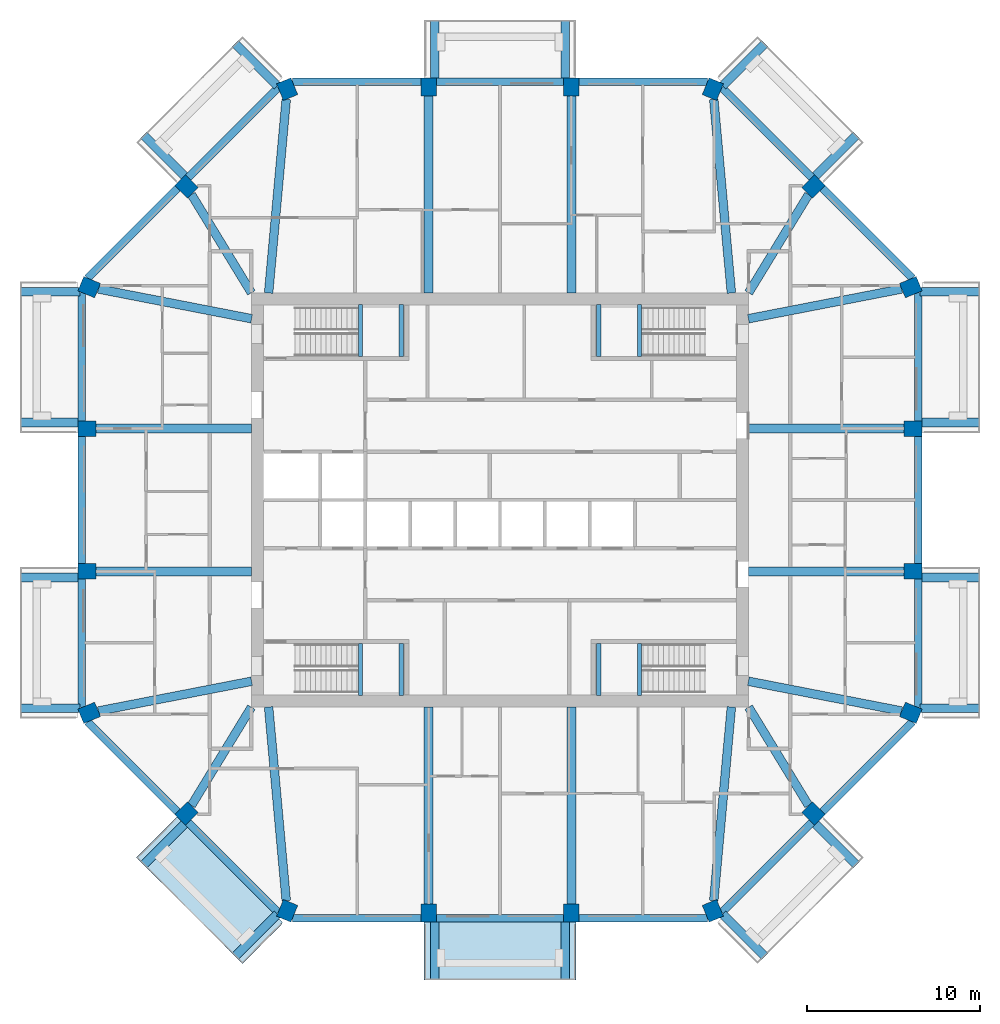
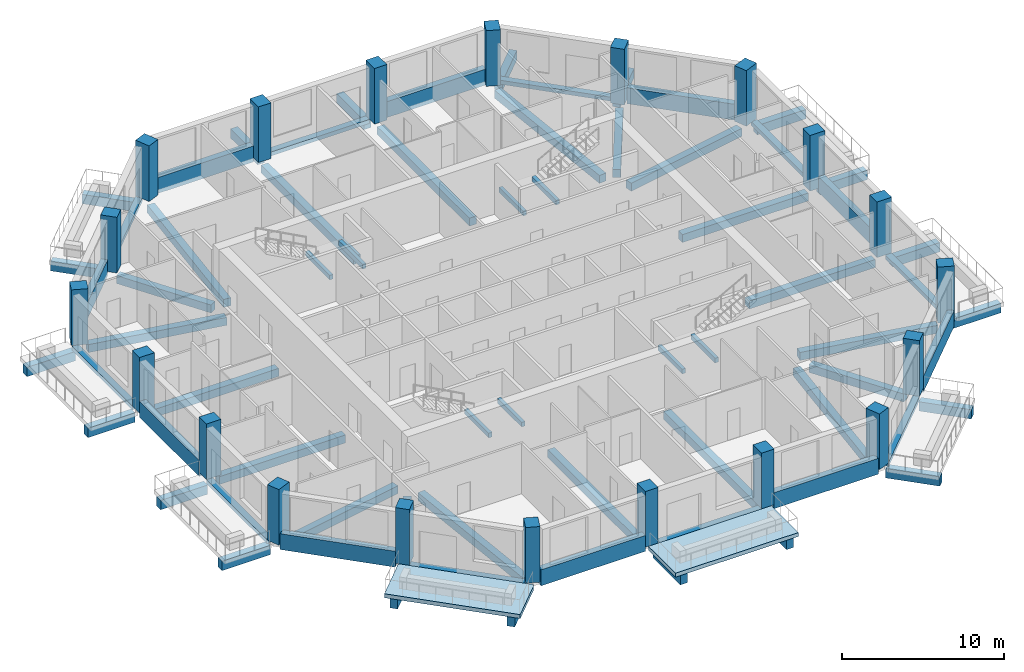
# One storey, part 1 of 12: 68 beams, 20 columns, 2 slabs.
"""IFC4 building model written with IfcOpenShell, lengths in metres."""

from ifc_helpers import new_model, si_unit, direction, frame, origin, origin_2d, place, context, subcontext, project, spatial, polyline, rectangle, outline, extrude, material, layer, layer_set, material_profile, profile_set, type_object, element, save


model = new_model("IFC4")

# Units and contexts
model_context = context("Model", 3, precision=1e-05, world=origin(), true_north=direction((0.0, 1.0)))
body_context = subcontext(model_context, "Body", "Model", "MODEL_VIEW")
ifc_project = project(units=[si_unit("LENGTHUNIT", "METRE"), si_unit("AREAUNIT", "SQUARE_METRE"), si_unit("VOLUMEUNIT", "CUBIC_METRE"), si_unit("PLANEANGLEUNIT", "RADIAN"), si_unit("MASSUNIT", "GRAM", prefix="KILO")], contexts=[model_context])

# Site, building, storey
site_placement = place(None, origin())
site = spatial("IfcSite", under=ifc_project, at=site_placement, CompositionType="ELEMENT")
building_placement = place(site_placement, origin())
building = spatial("IfcBuilding", under=site, at=building_placement, Name="Msitu Wima Residences", CompositionType="ELEMENT")
storey_placement = place(building_placement, frame((0.0, 0.0, 200.10009765625)))
storey = spatial("IfcBuildingStorey", under=building, at=storey_placement, Name="L46", CompositionType="ELEMENT", Elevation=200.10009765625)

# Columns
ifc_material_1 = material(Name="Concrete C60/75", Category="concrete")
ifc_material_profile_1 = material_profile(ifc_material_1, rectangle(XDim=0.89990234375, YDim=1.050048828125, at=origin_2d()), Name="RC 900x1050")
ifc_profile_set_1 = profile_set([ifc_material_profile_1], Name="Concrete C60/75")
column_type = type_object("IfcColumnType", Name="Column RC 900x1050 Concrete C60/75", PredefinedType="COLUMN", material=ifc_profile_set_1)
for number, where, z_axis, x_axis, name in (
    (1, (23.792724609375, -12.325927734375, 0.0), (0.0, 0.0, 1.0), (0.382683496864, 0.923879505795, 0.0), "Column L46 C-E0"),
    (2, (23.925048828125, -4.13720703125, 0.0), (0.0, 0.0, 1.0), (0.0, 1.0, 0.0), "Column L46 C-E1"),
    (3, (23.925048828125, 4.13720703125, 0.0), (0.0, 0.0, 1.0), (0.0, 1.0, 0.0), "Column L46 C-E2"),
    (4, (23.792724609375, 12.325927734375, 0.0), (0.0, 0.0, 1.0), (-0.382683496864, 0.923879505795, 0.0), "Column L46 C-NE0"),
    (5, (18.15283203125, 18.15283203125, 0.0), (0.0, 0.0, 1.0), (-0.707106781187, 0.707106781187, 0.0), "Column L46 C-NE1"),
    (6, (12.325927734375, 23.792724609375, 0.0), (0.0, 0.0, 1.0), (-0.923879505795, 0.382683496864, 0.0), "Column L46 C-N0"),
    (7, (4.13720703125, 23.925048828125, 0.0), (0.0, 0.0, 1.0), (-1.0, 0.0, 0.0), "Column L46 C-N1"),
    (8, (-4.13720703125, 23.925048828125, 0.0), (0.0, 0.0, 1.0), (-1.0, 0.0, 0.0), "Column L46 C-N2"),
    (9, (-12.325927734375, 23.792724609375, 0.0), (0.0, 0.0, 1.0), (-0.923879505795, -0.382683496864, 0.0), "Column L46 C-NW0"),
    (10, (-18.15283203125, 18.15283203125, 0.0), (0.0, 0.0, 1.0), (-0.707106781187, -0.707106781187, 0.0), "Column L46 C-NW1"),
    (11, (-23.792724609375, 12.325927734375, 0.0), (0.0, 0.0, 1.0), (-0.382683496864, -0.923879505795, 0.0), "Column L46 C-W0"),
    (12, (-23.925048828125, 4.13720703125, 0.0), (0.0, 0.0, 1.0), (0.0, -1.0, 0.0), "Column L46 C-W1"),
    (13, (-23.925048828125, -4.13720703125, 0.0), (0.0, 0.0, 1.0), (0.0, -1.0, 0.0), "Column L46 C-W2"),
    (14, (-23.792724609375, -12.325927734375, 0.0), (0.0, 0.0, 1.0), (0.382683496864, -0.923879505795, 0.0), "Column L46 C-SW0"),
    (15, (-18.15283203125, -18.15283203125, 0.0), (0.0, 0.0, 1.0), (0.707106781187, -0.707106781187, 0.0), "Column L46 C-SW1"),
    (16, (-12.325927734375, -23.792724609375, 0.0), (0.0, 0.0, 1.0), (0.923879505795, -0.382683496864, 0.0), "Column L46 C-S0"),
    (17, (-4.13720703125, -23.925048828125, 0.0), (0.0, 0.0, 1.0), (1.0, 0.0, 0.0), "Column L46 C-S1"),
    (18, (4.13720703125, -23.925048828125, 0.0), (0.0, 0.0, 1.0), (1.0, 0.0, 0.0), "Column L46 C-S2"),
    (19, (12.325927734375, -23.792724609375, 0.0), (0.0, 0.0, 1.0), (0.923879505795, 0.382683496864, 0.0), "Column L46 C-SE0"),
    (20, (18.15283203125, -18.15283203125, 0.0), (0.0, 0.0, 1.0), (0.707106781187, 0.707106781187, 0.0), "Column L46 C-SE1"),
):
    element("IfcColumn", number, at=place(storey_placement, frame(where, z_axis=z_axis, x_axis=x_axis)), inside=storey, type_object=column_type, Name=name, PredefinedType="COLUMN", context=body_context, shape_type="SweptSolid", body=[
        extrude(rectangle(XDim=0.89990234375, YDim=1.050048828125, at=origin_2d()), origin(), (0.0, 0.0, 1.0), 4.199951171875),
    ])

# Beams
ifc_material_2 = material(Name="Concrete C50/60", Category="concrete")
ifc_material_profile_2 = material_profile(ifc_material_2, rectangle(XDim=0.5, YDim=0.60009765625, at=origin_2d()), Name="RC 500x600")
ifc_profile_set_2 = profile_set([ifc_material_profile_2], Name="Concrete C50/60")
beam_type_1 = type_object("IfcBeamType", Name="Beam RC 500x600 Concrete C50/60", PredefinedType="BEAM", material=ifc_profile_set_2)
beam_1_placement = place(storey_placement, frame((23.266845703125, -12.2236328125, -0.550048828125), z_axis=(-0.981627328559, 0.190808248841, 0.0), x_axis=(-0.190808248841, -0.981627328559, 0.0)))
element("IfcBeam", 21, at=beam_1_placement, inside=storey, type_object=beam_type_1, Name="Beam L46 C-E0", PredefinedType="BEAM", context=body_context, shape_type="SweptSolid", body=[
    extrude(rectangle(XDim=0.5, YDim=0.60009765625, at=origin_2d()), origin(), (0.0, 0.0, 1.0), 9.044921875),
])
for number, where, z_axis, x_axis, name in (
    (22, (23.39990234375, -4.13720703125, -0.550048828125), (-1.0, 0.0, 0.0), (0.0, -1.0, 0.0), "Beam L46 C-E1"),
    (23, (23.39990234375, 4.13720703125, -0.550048828125), (-1.0, 0.0, 0.0), (0.0, -1.0, 0.0), "Beam L46 C-E2"),
):
    element("IfcBeam", number, at=place(storey_placement, frame(where, z_axis=z_axis, x_axis=x_axis)), inside=storey, type_object=beam_type_1, Name=name, PredefinedType="BEAM", context=body_context, shape_type="SweptSolid", body=[
        extrude(rectangle(XDim=0.5, YDim=0.60009765625, at=origin_2d()), origin(), (0.0, 0.0, 1.0), 9.0),
    ])
beam_2_placement = place(storey_placement, frame((23.266845703125, 12.2236328125, -0.550048828125), z_axis=(-0.981627328559, -0.190808248841, 0.0), x_axis=(0.190808248841, -0.981627328559, 0.0)))
element("IfcBeam", 24, at=beam_2_placement, inside=storey, type_object=beam_type_1, Name="Beam L46 C-NE0", PredefinedType="BEAM", context=body_context, shape_type="SweptSolid", body=[
    extrude(rectangle(XDim=0.5, YDim=0.60009765625, at=origin_2d()), origin(), (0.0, 0.0, 1.0), 9.044921875),
])
beam_3_placement = place(storey_placement, frame((17.87158203125, 17.691650390625, -0.550048828125), z_axis=(-0.520734381113, -0.853718750132, 0.0), x_axis=(0.853718750132, -0.520734381113, 0.0)))
element("IfcBeam", 25, at=beam_3_placement, inside=storey, type_object=beam_type_1, Name="Beam L46 C-NE1", PredefinedType="BEAM", context=body_context, shape_type="SweptSolid", body=[
    extrude(rectangle(XDim=0.5, YDim=0.60009765625, at=origin_2d()), origin(), (0.0, 0.0, 1.0), 6.6669921875),
])
beam_4_placement = place(storey_placement, frame((12.379638671875, 23.2021484375, -0.550048828125), z_axis=(0.090713636077, -0.995877018627, 0.0), x_axis=(0.995877018627, 0.090713636077, 0.0)))
element("IfcBeam", 26, at=beam_4_placement, inside=storey, type_object=beam_type_1, Name="Beam L46 C-N0", PredefinedType="BEAM", context=body_context, shape_type="SweptSolid", body=[
    extrude(rectangle(XDim=0.5, YDim=0.60009765625, at=origin_2d()), origin(), (0.0, 0.0, 1.0), 11.260498046875),
])
for number, where, z_axis, x_axis, name in (
    (27, (4.13720703125, 23.39990234375, -0.550048828125), (0.0, -1.0, 0.0), (1.0, 0.0, 0.0), "Beam L46 C-N1"),
    (28, (-4.13720703125, 23.39990234375, -0.550048828125), (0.0, -1.0, 0.0), (1.0, 0.0, 0.0), "Beam L46 C-N2"),
):
    element("IfcBeam", number, at=place(storey_placement, frame(where, z_axis=z_axis, x_axis=x_axis)), inside=storey, type_object=beam_type_1, Name=name, PredefinedType="BEAM", context=body_context, shape_type="SweptSolid", body=[
        extrude(rectangle(XDim=0.5, YDim=0.60009765625, at=origin_2d()), origin(), (0.0, 0.0, 1.0), 11.39990234375),
    ])
beam_5_placement = place(storey_placement, frame((-12.379638671875, 23.2021484375, -0.550048828125), z_axis=(-0.090713636077, -0.995877018627, 0.0), x_axis=(0.995877018627, -0.090713636077, 0.0)))
element("IfcBeam", 29, at=beam_5_placement, inside=storey, type_object=beam_type_1, Name="Beam L46 C-NW0", PredefinedType="BEAM", context=body_context, shape_type="SweptSolid", body=[
    extrude(rectangle(XDim=0.5, YDim=0.60009765625, at=origin_2d()), origin(), (0.0, 0.0, 1.0), 11.260498046875),
])
beam_6_placement = place(storey_placement, frame((-17.87158203125, 17.691650390625, -0.550048828125), z_axis=(0.520734381113, -0.853718750132, 0.0), x_axis=(0.853718750132, 0.520734381113, 0.0)))
element("IfcBeam", 30, at=beam_6_placement, inside=storey, type_object=beam_type_1, Name="Beam L46 C-NW1", PredefinedType="BEAM", context=body_context, shape_type="SweptSolid", body=[
    extrude(rectangle(XDim=0.5, YDim=0.60009765625, at=origin_2d()), origin(), (0.0, 0.0, 1.0), 6.6669921875),
])
beam_7_placement = place(storey_placement, frame((-23.266845703125, 12.2236328125, -0.550048828125), z_axis=(0.981627328559, -0.190808248841, 0.0), x_axis=(0.190808248841, 0.981627328559, 0.0)))
element("IfcBeam", 31, at=beam_7_placement, inside=storey, type_object=beam_type_1, Name="Beam L46 C-W0", PredefinedType="BEAM", context=body_context, shape_type="SweptSolid", body=[
    extrude(rectangle(XDim=0.5, YDim=0.60009765625, at=origin_2d()), origin(), (0.0, 0.0, 1.0), 9.044921875),
])
for number, where, z_axis, x_axis, name in (
    (32, (-23.39990234375, 4.13720703125, -0.550048828125), (1.0, 0.0, 0.0), (0.0, 1.0, 0.0), "Beam L46 C-W1"),
    (33, (-23.39990234375, -4.13720703125, -0.550048828125), (1.0, 0.0, 0.0), (0.0, 1.0, 0.0), "Beam L46 C-W2"),
):
    element("IfcBeam", number, at=place(storey_placement, frame(where, z_axis=z_axis, x_axis=x_axis)), inside=storey, type_object=beam_type_1, Name=name, PredefinedType="BEAM", context=body_context, shape_type="SweptSolid", body=[
        extrude(rectangle(XDim=0.5, YDim=0.60009765625, at=origin_2d()), origin(), (0.0, 0.0, 1.0), 9.0),
    ])
beam_8_placement = place(storey_placement, frame((-23.266845703125, -12.2236328125, -0.550048828125), z_axis=(0.981627328559, 0.190808248841, 0.0), x_axis=(-0.190808248841, 0.981627328559, 0.0)))
element("IfcBeam", 34, at=beam_8_placement, inside=storey, type_object=beam_type_1, Name="Beam L46 C-SW0", PredefinedType="BEAM", context=body_context, shape_type="SweptSolid", body=[
    extrude(rectangle(XDim=0.5, YDim=0.60009765625, at=origin_2d()), origin(), (0.0, 0.0, 1.0), 9.044921875),
])
beam_9_placement = place(storey_placement, frame((-17.87158203125, -17.691650390625, -0.550048828125), z_axis=(0.520734381113, 0.853718750132, 0.0), x_axis=(-0.853718750132, 0.520734381113, 0.0)))
element("IfcBeam", 35, at=beam_9_placement, inside=storey, type_object=beam_type_1, Name="Beam L46 C-SW1", PredefinedType="BEAM", context=body_context, shape_type="SweptSolid", body=[
    extrude(rectangle(XDim=0.5, YDim=0.60009765625, at=origin_2d()), origin(), (0.0, 0.0, 1.0), 6.6669921875),
])
beam_10_placement = place(storey_placement, frame((-12.379638671875, -23.2021484375, -0.550048828125), z_axis=(-0.090713636077, 0.995877018627, 0.0), x_axis=(-0.995877018627, -0.090713636077, 0.0)))
element("IfcBeam", 36, at=beam_10_placement, inside=storey, type_object=beam_type_1, Name="Beam L46 C-S0", PredefinedType="BEAM", context=body_context, shape_type="SweptSolid", body=[
    extrude(rectangle(XDim=0.5, YDim=0.60009765625, at=origin_2d()), origin(), (0.0, 0.0, 1.0), 11.260498046875),
])
for number, where, z_axis, x_axis, name in (
    (37, (-4.13720703125, -23.39990234375, -0.550048828125), (0.0, 1.0, 0.0), (-1.0, 0.0, 0.0), "Beam L46 C-S1"),
    (38, (4.13720703125, -23.39990234375, -0.550048828125), (0.0, 1.0, 0.0), (-1.0, 0.0, 0.0), "Beam L46 C-S2"),
):
    element("IfcBeam", number, at=place(storey_placement, frame(where, z_axis=z_axis, x_axis=x_axis)), inside=storey, type_object=beam_type_1, Name=name, PredefinedType="BEAM", context=body_context, shape_type="SweptSolid", body=[
        extrude(rectangle(XDim=0.5, YDim=0.60009765625, at=origin_2d()), origin(), (0.0, 0.0, 1.0), 11.39990234375),
    ])
beam_11_placement = place(storey_placement, frame((12.379638671875, -23.2021484375, -0.550048828125), z_axis=(0.090713636077, 0.995877018627, 0.0), x_axis=(-0.995877018627, 0.090713636077, 0.0)))
element("IfcBeam", 39, at=beam_11_placement, inside=storey, type_object=beam_type_1, Name="Beam L46 C-SE0", PredefinedType="BEAM", context=body_context, shape_type="SweptSolid", body=[
    extrude(rectangle(XDim=0.5, YDim=0.60009765625, at=origin_2d()), origin(), (0.0, 0.0, 1.0), 11.260498046875),
])
beam_12_placement = place(storey_placement, frame((17.87158203125, -17.691650390625, -0.550048828125), z_axis=(-0.520734381113, 0.853718750132, 0.0), x_axis=(-0.853718750132, -0.520734381113, 0.0)))
element("IfcBeam", 40, at=beam_12_placement, inside=storey, type_object=beam_type_1, Name="Beam L46 C-SE1", PredefinedType="BEAM", context=body_context, shape_type="SweptSolid", body=[
    extrude(rectangle(XDim=0.5, YDim=0.60009765625, at=origin_2d()), origin(), (0.0, 0.0, 1.0), 6.6669921875),
])
ifc_material_profile_3 = material_profile(ifc_material_2, rectangle(XDim=0.5, YDim=0.699951171875, at=origin_2d()), Name="RC 500x700")
ifc_profile_set_3 = profile_set([ifc_material_profile_3], Name="Concrete C50/60")
beam_type_2 = type_object("IfcBeamType", Name="Cantilever beam RC 500x700 Concrete C50/60", PredefinedType="BEAM", material=ifc_profile_set_3)
beam_13_placement = place(storey_placement, frame((24.330810546875, -12.061767578125, -0.650146484375), z_axis=(1.0, 0.0, 0.0), x_axis=(0.0, 1.0, 0.0)))
element("IfcBeam", 41, at=beam_13_placement, inside=storey, type_object=beam_type_2, Name="Cantilever beam L46 BA-E0 A", PredefinedType="BEAM", context=body_context, shape_type="SweptSolid", body=[
    extrude(rectangle(XDim=0.5, YDim=0.699951171875, at=origin_2d()), origin(), (0.0, 0.0, 1.0), 3.46923828125),
])
for number, where, z_axis, x_axis, name in (
    (42, (24.449951171875, -4.4873046875, -0.650146484375), (1.0, 0.0, 0.0), (0.0, 1.0, 0.0), "Cantilever beam L46 BA-E0 B"),
    (43, (24.449951171875, 4.4873046875, -0.650146484375), (1.0, 0.0, 0.0), (0.0, 1.0, 0.0), "Cantilever beam L46 BA-E2 A"),
):
    element("IfcBeam", number, at=place(storey_placement, frame(where, z_axis=z_axis, x_axis=x_axis)), inside=storey, type_object=beam_type_2, Name=name, PredefinedType="BEAM", context=body_context, shape_type="SweptSolid", body=[
        extrude(rectangle(XDim=0.5, YDim=0.699951171875, at=origin_2d()), origin(), (0.0, 0.0, 1.0), 3.35009765625),
    ])
beam_14_placement = place(storey_placement, frame((24.330810546875, 12.061767578125, -0.650146484375), z_axis=(1.0, 0.0, 0.0), x_axis=(0.0, 1.0, 0.0)))
element("IfcBeam", 44, at=beam_14_placement, inside=storey, type_object=beam_type_2, Name="Cantilever beam L46 BA-E2 B", PredefinedType="BEAM", context=body_context, shape_type="SweptSolid", body=[
    extrude(rectangle(XDim=0.5, YDim=0.699951171875, at=origin_2d()), origin(), (0.0, 0.0, 1.0), 3.46923828125),
])
beam_15_placement = place(storey_placement, frame((18.276611328125, 18.771484375, -0.650146484375), z_axis=(0.707106781187, 0.707106781187, 0.0), x_axis=(-0.707106781187, 0.707106781187, 0.0)))
element("IfcBeam", 45, at=beam_15_placement, inside=storey, type_object=beam_type_2, Name="Cantilever beam L46 BA-NE1 A", PredefinedType="BEAM", context=body_context, shape_type="SweptSolid", body=[
    extrude(rectangle(XDim=0.5, YDim=0.699951171875, at=origin_2d()), origin(), (0.0, 0.0, 1.0), 3.35009765625),
])
beam_16_placement = place(storey_placement, frame((12.893310546875, 23.986572265625, -0.650146484375), z_axis=(0.707106781187, 0.707106781187, 0.0), x_axis=(-0.707106781187, 0.707106781187, 0.0)))
element("IfcBeam", 46, at=beam_16_placement, inside=storey, type_object=beam_type_2, Name="Cantilever beam L46 BA-NE1 B", PredefinedType="BEAM", context=body_context, shape_type="SweptSolid", body=[
    extrude(rectangle(XDim=0.5, YDim=0.699951171875, at=origin_2d()), origin(), (0.0, 0.0, 1.0), 3.468994140625),
])
for number, where, z_axis, x_axis, name in (
    (47, (3.787353515625, 24.449951171875, -0.650146484375), (0.0, 1.0, 0.0), (-1.0, 0.0, 0.0), "Cantilever beam L46 BA-N1 A"),
    (48, (-3.787353515625, 24.449951171875, -0.650146484375), (0.0, 1.0, 0.0), (-1.0, 0.0, 0.0), "Cantilever beam L46 BA-N1 B"),
):
    element("IfcBeam", number, at=place(storey_placement, frame(where, z_axis=z_axis, x_axis=x_axis)), inside=storey, type_object=beam_type_2, Name=name, PredefinedType="BEAM", context=body_context, shape_type="SweptSolid", body=[
        extrude(rectangle(XDim=0.5, YDim=0.699951171875, at=origin_2d()), origin(), (0.0, 0.0, 1.0), 3.35009765625),
    ])
beam_17_placement = place(storey_placement, frame((-12.893310546875, 23.986572265625, -0.650146484375), z_axis=(-0.707106781187, 0.707106781187, 0.0), x_axis=(-0.707106781187, -0.707106781187, 0.0)))
element("IfcBeam", 49, at=beam_17_placement, inside=storey, type_object=beam_type_2, Name="Cantilever beam L46 BA-NW0 A", PredefinedType="BEAM", context=body_context, shape_type="SweptSolid", body=[
    extrude(rectangle(XDim=0.5, YDim=0.699951171875, at=origin_2d()), origin(), (0.0, 0.0, 1.0), 3.468994140625),
])
beam_18_placement = place(storey_placement, frame((-18.276611328125, 18.771484375, -0.650146484375), z_axis=(-0.707106781187, 0.707106781187, 0.0), x_axis=(-0.707106781187, -0.707106781187, 0.0)))
element("IfcBeam", 50, at=beam_18_placement, inside=storey, type_object=beam_type_2, Name="Cantilever beam L46 BA-NW0 B", PredefinedType="BEAM", context=body_context, shape_type="SweptSolid", body=[
    extrude(rectangle(XDim=0.5, YDim=0.699951171875, at=origin_2d()), origin(), (0.0, 0.0, 1.0), 3.35009765625),
])
beam_19_placement = place(storey_placement, frame((-24.330810546875, 12.061767578125, -0.650146484375), z_axis=(-1.0, 0.0, 0.0), x_axis=(0.0, -1.0, 0.0)))
element("IfcBeam", 51, at=beam_19_placement, inside=storey, type_object=beam_type_2, Name="Cantilever beam L46 BA-W0 A", PredefinedType="BEAM", context=body_context, shape_type="SweptSolid", body=[
    extrude(rectangle(XDim=0.5, YDim=0.699951171875, at=origin_2d()), origin(), (0.0, 0.0, 1.0), 3.46923828125),
])
for number, where, z_axis, x_axis, name in (
    (52, (-24.449951171875, 4.4873046875, -0.650146484375), (-1.0, 0.0, 0.0), (0.0, -1.0, 0.0), "Cantilever beam L46 BA-W0 B"),
    (53, (-24.449951171875, -4.4873046875, -0.650146484375), (-1.0, 0.0, 0.0), (0.0, -1.0, 0.0), "Cantilever beam L46 BA-W2 A"),
):
    element("IfcBeam", number, at=place(storey_placement, frame(where, z_axis=z_axis, x_axis=x_axis)), inside=storey, type_object=beam_type_2, Name=name, PredefinedType="BEAM", context=body_context, shape_type="SweptSolid", body=[
        extrude(rectangle(XDim=0.5, YDim=0.699951171875, at=origin_2d()), origin(), (0.0, 0.0, 1.0), 3.35009765625),
    ])
beam_20_placement = place(storey_placement, frame((-24.330810546875, -12.061767578125, -0.650146484375), z_axis=(-1.0, 0.0, 0.0), x_axis=(0.0, -1.0, 0.0)))
element("IfcBeam", 54, at=beam_20_placement, inside=storey, type_object=beam_type_2, Name="Cantilever beam L46 BA-W2 B", PredefinedType="BEAM", context=body_context, shape_type="SweptSolid", body=[
    extrude(rectangle(XDim=0.5, YDim=0.699951171875, at=origin_2d()), origin(), (0.0, 0.0, 1.0), 3.46923828125),
])
beam_21_placement = place(storey_placement, frame((-18.276611328125, -18.771484375, -0.650146484375), z_axis=(-0.707106781187, -0.707106781187, 0.0), x_axis=(0.707106781187, -0.707106781187, 0.0)))
element("IfcBeam", 55, at=beam_21_placement, inside=storey, type_object=beam_type_2, Name="Cantilever beam L46 BA-SW1 A", PredefinedType="BEAM", context=body_context, shape_type="SweptSolid", body=[
    extrude(rectangle(XDim=0.5, YDim=0.699951171875, at=origin_2d()), origin(), (0.0, 0.0, 1.0), 3.35009765625),
])
beam_22_placement = place(storey_placement, frame((-12.893310546875, -23.986572265625, -0.650146484375), z_axis=(-0.707106781187, -0.707106781187, 0.0), x_axis=(0.707106781187, -0.707106781187, 0.0)))
element("IfcBeam", 56, at=beam_22_placement, inside=storey, type_object=beam_type_2, Name="Cantilever beam L46 BA-SW1 B", PredefinedType="BEAM", context=body_context, shape_type="SweptSolid", body=[
    extrude(rectangle(XDim=0.5, YDim=0.699951171875, at=origin_2d()), origin(), (0.0, 0.0, 1.0), 3.468994140625),
])
for number, where, z_axis, x_axis, name in (
    (57, (-3.787353515625, -24.449951171875, -0.650146484375), (0.0, -1.0, 0.0), (1.0, 0.0, 0.0), "Cantilever beam L46 BA-S1 A"),
    (58, (3.787353515625, -24.449951171875, -0.650146484375), (0.0, -1.0, 0.0), (1.0, 0.0, 0.0), "Cantilever beam L46 BA-S1 B"),
):
    element("IfcBeam", number, at=place(storey_placement, frame(where, z_axis=z_axis, x_axis=x_axis)), inside=storey, type_object=beam_type_2, Name=name, PredefinedType="BEAM", context=body_context, shape_type="SweptSolid", body=[
        extrude(rectangle(XDim=0.5, YDim=0.699951171875, at=origin_2d()), origin(), (0.0, 0.0, 1.0), 3.35009765625),
    ])
beam_23_placement = place(storey_placement, frame((12.893310546875, -23.986572265625, -0.650146484375), z_axis=(0.707106781187, -0.707106781187, 0.0), x_axis=(0.707106781187, 0.707106781187, 0.0)))
element("IfcBeam", 59, at=beam_23_placement, inside=storey, type_object=beam_type_2, Name="Cantilever beam L46 BA-SE0 A", PredefinedType="BEAM", context=body_context, shape_type="SweptSolid", body=[
    extrude(rectangle(XDim=0.5, YDim=0.699951171875, at=origin_2d()), origin(), (0.0, 0.0, 1.0), 3.468994140625),
])
beam_24_placement = place(storey_placement, frame((18.276611328125, -18.771484375, -0.650146484375), z_axis=(0.707106781187, -0.707106781187, 0.0), x_axis=(0.707106781187, 0.707106781187, 0.0)))
element("IfcBeam", 60, at=beam_24_placement, inside=storey, type_object=beam_type_2, Name="Cantilever beam L46 BA-SE0 B", PredefinedType="BEAM", context=body_context, shape_type="SweptSolid", body=[
    extrude(rectangle(XDim=0.5, YDim=0.699951171875, at=origin_2d()), origin(), (0.0, 0.0, 1.0), 3.35009765625),
])
ifc_material_profile_4 = material_profile(ifc_material_2, rectangle(XDim=0.449951171875, YDim=0.300048828125, at=origin_2d()), Name="RC 450x300")
ifc_profile_set_4 = profile_set([ifc_material_profile_4], Name="Concrete C50/60")
beam_type_3 = type_object("IfcBeamType", Name="Edge beam RC 450x300 Concrete C50/60", PredefinedType="SPANDREL", material=ifc_profile_set_4)
for number, where, z_axis, x_axis, name in (
    (61, (24.22509765625, -12.02978515625, -0.150146484375), (0.0, 1.0, 0.0), (-1.0, 0.0, 0.0), "Spandrel L46 E0"),
    (62, (24.22509765625, 4.587158203125, -0.150146484375), (0.0, 1.0, 0.0), (-1.0, 0.0, 0.0), "Spandrel L46 E2"),
):
    element("IfcBeam", number, at=place(storey_placement, frame(where, z_axis=z_axis, x_axis=x_axis)), inside=storey, type_object=beam_type_3, Name=name, PredefinedType="SPANDREL", context=body_context, shape_type="SweptSolid", body=[
        extrude(rectangle(XDim=0.449951171875, YDim=0.300048828125, at=origin_2d()), origin(), (0.0, 0.0, 1.0), 7.442626953125),
    ])
beam_25_placement = place(storey_placement, frame((18.046875, 18.68310546875, -0.150146484375), z_axis=(-0.707106781187, 0.707106781187, 0.0), x_axis=(-0.707106781187, -0.707106781187, 0.0)))
element("IfcBeam", 63, at=beam_25_placement, inside=storey, type_object=beam_type_3, Name="Spandrel L46 NE1", PredefinedType="SPANDREL", context=body_context, shape_type="SweptSolid", body=[
    extrude(rectangle(XDim=0.449951171875, YDim=0.300048828125, at=origin_2d()), origin(), (0.0, 0.0, 1.0), 7.362548828125),
])
beam_26_placement = place(storey_placement, frame((3.687255859375, 24.22509765625, -0.150146484375), z_axis=(-1.0, 0.0, 0.0), x_axis=(0.0, -1.0, 0.0)))
element("IfcBeam", 64, at=beam_26_placement, inside=storey, type_object=beam_type_3, Name="Spandrel L46 N1", PredefinedType="SPANDREL", context=body_context, shape_type="SweptSolid", body=[
    extrude(rectangle(XDim=0.449951171875, YDim=0.300048828125, at=origin_2d()), origin(), (0.0, 0.0, 1.0), 7.37451171875),
])
beam_27_placement = place(storey_placement, frame((-12.8408203125, 23.88916015625, -0.150146484375), z_axis=(-0.707106781187, -0.707106781187, 0.0), x_axis=(0.707106781187, -0.707106781187, 0.0)))
element("IfcBeam", 65, at=beam_27_placement, inside=storey, type_object=beam_type_3, Name="Spandrel L46 NW0", PredefinedType="SPANDREL", context=body_context, shape_type="SweptSolid", body=[
    extrude(rectangle(XDim=0.449951171875, YDim=0.300048828125, at=origin_2d()), origin(), (0.0, 0.0, 1.0), 7.362548828125),
])
for number, where, z_axis, x_axis, name in (
    (66, (-24.22509765625, 12.02978515625, -0.150146484375), (0.0, -1.0, 0.0), (1.0, 0.0, 0.0), "Spandrel L46 W0"),
    (67, (-24.22509765625, -4.587158203125, -0.150146484375), (0.0, -1.0, 0.0), (1.0, 0.0, 0.0), "Spandrel L46 W2"),
):
    element("IfcBeam", number, at=place(storey_placement, frame(where, z_axis=z_axis, x_axis=x_axis)), inside=storey, type_object=beam_type_3, Name=name, PredefinedType="SPANDREL", context=body_context, shape_type="SweptSolid", body=[
        extrude(rectangle(XDim=0.449951171875, YDim=0.300048828125, at=origin_2d()), origin(), (0.0, 0.0, 1.0), 7.442626953125),
    ])
beam_28_placement = place(storey_placement, frame((-18.046875, -18.68310546875, -0.150146484375), z_axis=(0.707106781187, -0.707106781187, 0.0), x_axis=(0.707106781187, 0.707106781187, 0.0)))
element("IfcBeam", 68, at=beam_28_placement, inside=storey, type_object=beam_type_3, Name="Spandrel L46 SW1", PredefinedType="SPANDREL", context=body_context, shape_type="SweptSolid", body=[
    extrude(rectangle(XDim=0.449951171875, YDim=0.300048828125, at=origin_2d()), origin(), (0.0, 0.0, 1.0), 7.362548828125),
])
beam_29_placement = place(storey_placement, frame((-3.687255859375, -24.22509765625, -0.150146484375), z_axis=(1.0, 0.0, 0.0), x_axis=(0.0, 1.0, 0.0)))
element("IfcBeam", 69, at=beam_29_placement, inside=storey, type_object=beam_type_3, Name="Spandrel L46 S1", PredefinedType="SPANDREL", context=body_context, shape_type="SweptSolid", body=[
    extrude(rectangle(XDim=0.449951171875, YDim=0.300048828125, at=origin_2d()), origin(), (0.0, 0.0, 1.0), 7.37451171875),
])
beam_30_placement = place(storey_placement, frame((12.8408203125, -23.88916015625, -0.150146484375), z_axis=(0.707106781187, 0.707106781187, 0.0), x_axis=(-0.707106781187, 0.707106781187, 0.0)))
element("IfcBeam", 70, at=beam_30_placement, inside=storey, type_object=beam_type_3, Name="Spandrel L46 SE0", PredefinedType="SPANDREL", context=body_context, shape_type="SweptSolid", body=[
    extrude(rectangle(XDim=0.449951171875, YDim=0.300048828125, at=origin_2d()), origin(), (0.0, 0.0, 1.0), 7.362548828125),
])
ifc_material_3 = material(Name="Concrete C40/50", Category="concrete")
ifc_material_profile_5 = material_profile(ifc_material_3, rectangle(XDim=0.25, YDim=0.35009765625, at=origin_2d()), Name="RC 250x350")
ifc_profile_set_5 = profile_set([ifc_material_profile_5], Name="Concrete C40/50")
beam_type_4 = type_object("IfcBeamType", Name="Landing beam RC 250x350", PredefinedType="BEAM", material=ifc_profile_set_5)
for number, where, z_axis, x_axis, name in (
    (71, (-8.074951171875, 8.324951171875, 1.724853515625), (0.0, 1.0, 0.0), (-1.0, 0.0, 0.0), "Stair 1 landing beam"),
    (72, (-5.72509765625, 8.324951171875, 1.724853515625), (0.0, 1.0, 0.0), (-1.0, 0.0, 0.0), "Stair 1 landing beam"),
    (73, (-8.074951171875, -11.324951171875, 1.724853515625), (0.0, 1.0, 0.0), (-1.0, 0.0, 0.0), "Stair 2 landing beam"),
    (74, (-5.72509765625, -11.324951171875, 1.724853515625), (0.0, 1.0, 0.0), (-1.0, 0.0, 0.0), "Stair 2 landing beam"),
    (75, (8.074951171875, 8.324951171875, 1.724853515625), (0.0, 1.0, 0.0), (-1.0, 0.0, 0.0), "Stair 3 landing beam"),
    (76, (5.72509765625, 8.324951171875, 1.724853515625), (0.0, 1.0, 0.0), (-1.0, 0.0, 0.0), "Stair 3 landing beam"),
    (77, (8.074951171875, -11.324951171875, 1.724853515625), (0.0, 1.0, 0.0), (-1.0, 0.0, 0.0), "Stair 4 landing beam"),
    (78, (5.72509765625, -11.324951171875, 1.724853515625), (0.0, 1.0, 0.0), (-1.0, 0.0, 0.0), "Stair 4 landing beam"),
):
    element("IfcBeam", number, at=place(storey_placement, frame(where, z_axis=z_axis, x_axis=x_axis)), inside=storey, type_object=beam_type_4, Name=name, PredefinedType="BEAM", context=body_context, shape_type="SweptSolid", body=[
        extrude(rectangle(XDim=0.25, YDim=0.35009765625, at=origin_2d()), origin(), (0.0, 0.0, 1.0), 3.0),
    ])
ifc_material_profile_6 = material_profile(ifc_material_2, rectangle(XDim=0.449951171875, YDim=1.199951171875, at=origin_2d()), Name="RC 450x1200")
ifc_profile_set_6 = profile_set([ifc_material_profile_6], Name="Concrete C50/60")
beam_type_5 = type_object("IfcBeamType", Name="Spandrel RC 450x1200 Concrete C50/60", PredefinedType="SPANDREL", material=ifc_profile_set_6)
beam_31_placement = place(storey_placement, frame((24.22509765625, -3.687255859375, 0.2998046875), z_axis=(0.0, 1.0, 0.0), x_axis=(-1.0, 0.0, 0.0)))
element("IfcBeam", 79, at=beam_31_placement, inside=storey, type_object=beam_type_5, Name="Spandrel L46 E1", PredefinedType="SPANDREL", context=body_context, shape_type="SweptSolid", body=[
    extrude(rectangle(XDim=0.449951171875, YDim=1.199951171875, at=origin_2d()), origin(), (0.0, 0.0, 1.0), 7.37451171875),
])
beam_32_placement = place(storey_placement, frame((23.88916015625, 12.8408203125, 0.2998046875), z_axis=(-0.707106781187, 0.707106781187, 0.0), x_axis=(-0.707106781187, -0.707106781187, 0.0)))
element("IfcBeam", 80, at=beam_32_placement, inside=storey, type_object=beam_type_5, Name="Spandrel L46 NE0", PredefinedType="SPANDREL", context=body_context, shape_type="SweptSolid", body=[
    extrude(rectangle(XDim=0.449951171875, YDim=1.199951171875, at=origin_2d()), origin(), (0.0, 0.0, 1.0), 7.362548828125),
])
for number, where, z_axis, x_axis, name in (
    (81, (12.02978515625, 24.22509765625, 0.2998046875), (-1.0, 0.0, 0.0), (0.0, -1.0, 0.0), "Spandrel L46 N0"),
    (82, (-4.587158203125, 24.22509765625, 0.2998046875), (-1.0, 0.0, 0.0), (0.0, -1.0, 0.0), "Spandrel L46 N2"),
):
    element("IfcBeam", number, at=place(storey_placement, frame(where, z_axis=z_axis, x_axis=x_axis)), inside=storey, type_object=beam_type_5, Name=name, PredefinedType="SPANDREL", context=body_context, shape_type="SweptSolid", body=[
        extrude(rectangle(XDim=0.449951171875, YDim=1.199951171875, at=origin_2d()), origin(), (0.0, 0.0, 1.0), 7.442626953125),
    ])
beam_33_placement = place(storey_placement, frame((-18.68310546875, 18.046875, 0.2998046875), z_axis=(-0.707106781187, -0.707106781187, 0.0), x_axis=(0.707106781187, -0.707106781187, 0.0)))
element("IfcBeam", 83, at=beam_33_placement, inside=storey, type_object=beam_type_5, Name="Spandrel L46 NW1", PredefinedType="SPANDREL", context=body_context, shape_type="SweptSolid", body=[
    extrude(rectangle(XDim=0.449951171875, YDim=1.199951171875, at=origin_2d()), origin(), (0.0, 0.0, 1.0), 7.362548828125),
])
beam_34_placement = place(storey_placement, frame((-24.22509765625, 3.687255859375, 0.2998046875), z_axis=(0.0, -1.0, 0.0), x_axis=(1.0, 0.0, 0.0)))
element("IfcBeam", 84, at=beam_34_placement, inside=storey, type_object=beam_type_5, Name="Spandrel L46 W1", PredefinedType="SPANDREL", context=body_context, shape_type="SweptSolid", body=[
    extrude(rectangle(XDim=0.449951171875, YDim=1.199951171875, at=origin_2d()), origin(), (0.0, 0.0, 1.0), 7.37451171875),
])
beam_35_placement = place(storey_placement, frame((-23.88916015625, -12.8408203125, 0.2998046875), z_axis=(0.707106781187, -0.707106781187, 0.0), x_axis=(0.707106781187, 0.707106781187, 0.0)))
element("IfcBeam", 85, at=beam_35_placement, inside=storey, type_object=beam_type_5, Name="Spandrel L46 SW0", PredefinedType="SPANDREL", context=body_context, shape_type="SweptSolid", body=[
    extrude(rectangle(XDim=0.449951171875, YDim=1.199951171875, at=origin_2d()), origin(), (0.0, 0.0, 1.0), 7.362548828125),
])
for number, where, z_axis, x_axis, name in (
    (86, (-12.02978515625, -24.22509765625, 0.2998046875), (1.0, 0.0, 0.0), (0.0, 1.0, 0.0), "Spandrel L46 S0"),
    (87, (4.587158203125, -24.22509765625, 0.2998046875), (1.0, 0.0, 0.0), (0.0, 1.0, 0.0), "Spandrel L46 S2"),
):
    element("IfcBeam", number, at=place(storey_placement, frame(where, z_axis=z_axis, x_axis=x_axis)), inside=storey, type_object=beam_type_5, Name=name, PredefinedType="SPANDREL", context=body_context, shape_type="SweptSolid", body=[
        extrude(rectangle(XDim=0.449951171875, YDim=1.199951171875, at=origin_2d()), origin(), (0.0, 0.0, 1.0), 7.442626953125),
    ])
beam_36_placement = place(storey_placement, frame((18.68310546875, -18.046875, 0.2998046875), z_axis=(0.707106781187, 0.707106781187, 0.0), x_axis=(-0.707106781187, 0.707106781187, 0.0)))
element("IfcBeam", 88, at=beam_36_placement, inside=storey, type_object=beam_type_5, Name="Spandrel L46 SE1", PredefinedType="SPANDREL", context=body_context, shape_type="SweptSolid", body=[
    extrude(rectangle(XDim=0.449951171875, YDim=1.199951171875, at=origin_2d()), origin(), (0.0, 0.0, 1.0), 7.362548828125),
])

# Slabs
ifc_layer = layer(ifc_material_3, 0.300048828125)
ifc_layer_set = layer_set([ifc_layer], Name="Concrete C40/50")
slab_type = type_object("IfcSlabType", Name="Balcony slab BS300", PredefinedType="FLOOR", material=ifc_layer_set)
slab_1_placement = place(storey_placement, frame((0.0, 0.0, -0.300048828125)))
element("IfcSlab", 89, at=slab_1_placement, inside=storey, type_object=slab_type, Name="Balcony SW1 L46", PredefinedType="FLOOR", context=body_context, shape_type="SweptSolid", body=[
    extrude(outline(polyline([(-12.942626953125, -24.10546875), (-12.942626953125, -24.10546875), (-12.59814453125, -24.449951171875), (-12.661865234375, -24.603515625), (-14.922119140625, -26.86376953125), (-21.069580078125, -20.716064453125), (-18.700927734375, -18.347412109375), (-12.942626953125, -24.10546875), (-12.942626953125, -24.10546875)])), origin(), (0.0, 0.0, 1.0), 0.300048828125),
])
slab_2_placement = place(storey_placement, frame((0.0, 0.0, -0.300048828125)))
element("IfcSlab", 90, at=slab_2_placement, inside=storey, type_object=slab_type, Name="Balcony S1 L46", PredefinedType="FLOOR", context=body_context, shape_type="SweptSolid", body=[
    extrude(outline(polyline([(-3.687255859375, -24.449951171875), (3.687255859375, -24.449951171875), (4.38720703125, -24.449951171875), (4.38720703125, -27.800048828125), (-4.38720703125, -27.800048828125), (-4.38720703125, -24.449951171875), (-3.687255859375, -24.449951171875)])), origin(), (0.0, 0.0, 1.0), 0.300048828125),
])

save(model, "model.ifc")
